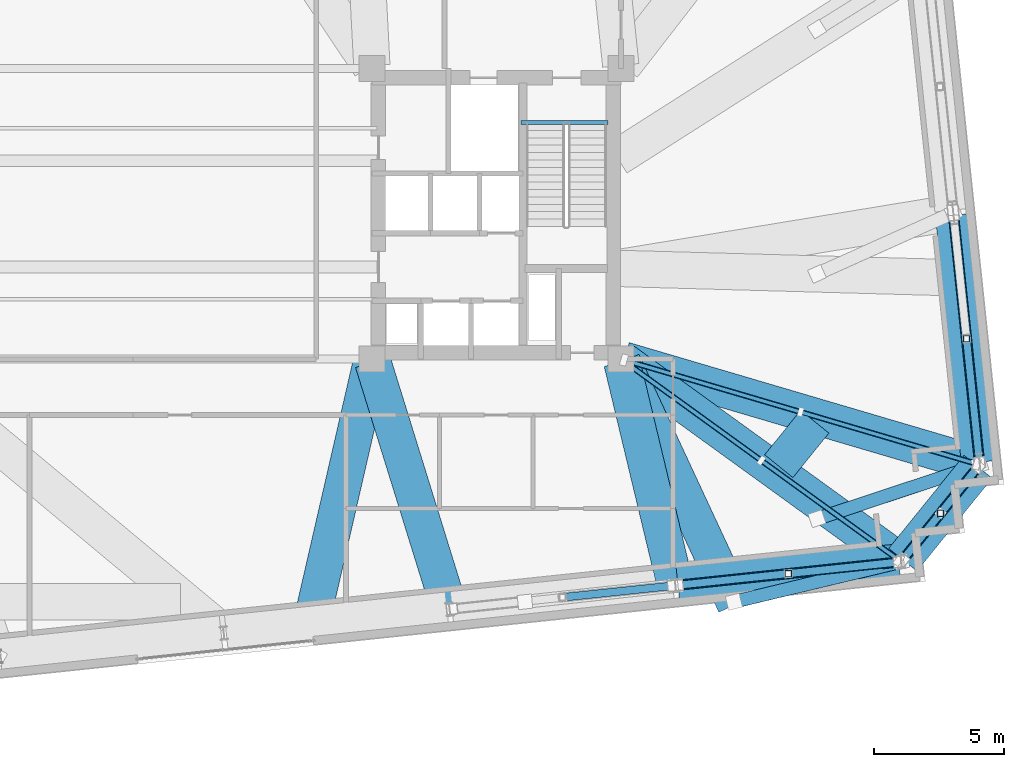
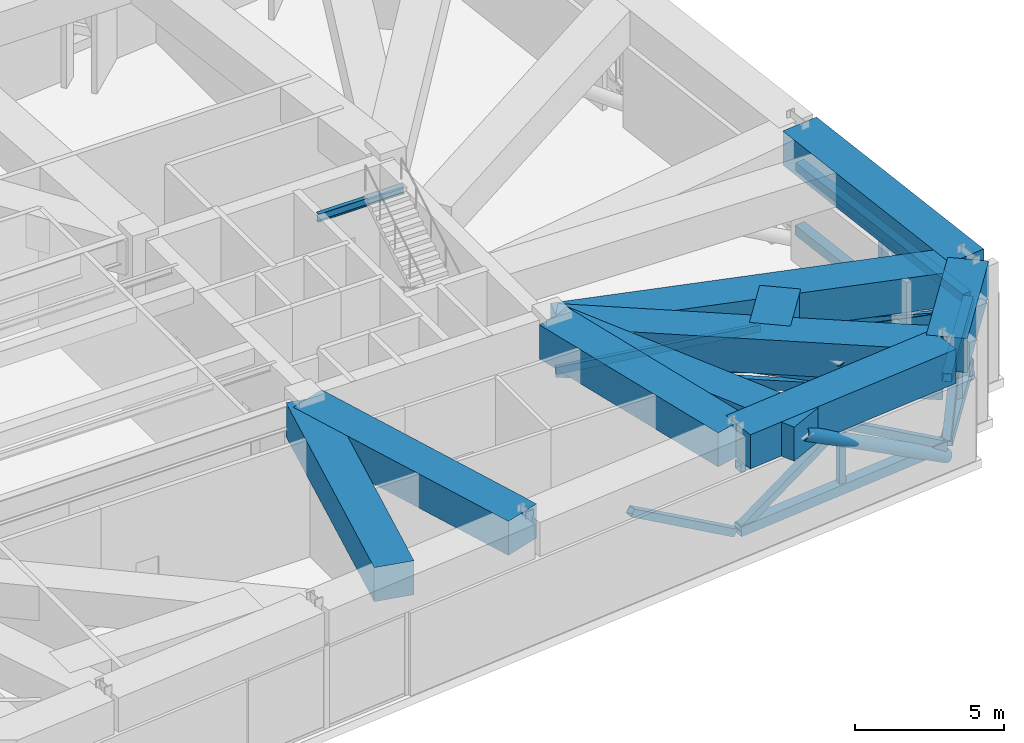
# One storey, part 10 of 23: 23 members, 11 beams.
"""IFC4 building model written with IfcOpenShell, lengths in metres."""

from ifc_helpers import new_model, si_unit, direction, frame, origin, origin_2d, place, context, subcontext, project, spatial, rectangle, hollow_rectangle, hollow_circle, i_section, extrude, material, material_profile, profile_set, type_object, element, save


model = new_model("IFC4")

# Units and contexts
model_context = context("Model", 3, precision=1e-05, world=origin(), true_north=direction((0.0, 1.0)))
body_context = subcontext(model_context, "Body", "Model", "MODEL_VIEW")
ifc_project = project(units=[si_unit("LENGTHUNIT", "METRE"), si_unit("AREAUNIT", "SQUARE_METRE"), si_unit("VOLUMEUNIT", "CUBIC_METRE"), si_unit("PLANEANGLEUNIT", "RADIAN"), si_unit("MASSUNIT", "GRAM", prefix="KILO")], contexts=[model_context])

# Site, building, storey
site_placement = place(None, origin())
site = spatial("IfcSite", under=ifc_project, at=site_placement, CompositionType="ELEMENT")
building_placement = place(site_placement, origin())
building = spatial("IfcBuilding", under=site, at=building_placement, Name="Qobustan Lattice House", CompositionType="ELEMENT")
storey_placement = place(building_placement, frame((0.0, 0.0, 125.89990234375)))
storey = spatial("IfcBuildingStorey", under=building, at=storey_placement, Name="L35", CompositionType="ELEMENT", Elevation=125.89990234375)

# Beams
ifc_material_1 = material(Name="Steel S355", Category="steel")
ifc_material_profile_1 = material_profile(ifc_material_1, i_section(OverallWidth=0.159912109375, OverallDepth=0.330078125, WebThickness=0.007568359375, FlangeThickness=0.011474609375, FilletRadius=0.01806640625, at=origin_2d()), Name="IPE330")
ifc_profile_set_1 = profile_set([ifc_material_profile_1], Name="Steel S355")
beam_type_1 = type_object("IfcBeamType", Name="BM-SPD-IPE330", PredefinedType="SPANDREL", material=ifc_profile_set_1)
beam_1_placement = place(storey_placement, frame((14.949951171875, 3.52001953125, 4.655029296875), z_axis=(1.0, 0.0, 0.0), x_axis=(0.0, 1.0, 0.0)))
element("IfcBeam", 1, at=beam_1_placement, inside=storey, type_object=beam_type_1, Name="L35 east stair landing trimmer beam", PredefinedType="SPANDREL", context=body_context, shape_type="SweptSolid", body=[
    extrude(i_section(OverallWidth=0.159912109375, OverallDepth=0.330078125, WebThickness=0.007568359375, FlangeThickness=0.011474609375, FilletRadius=0.01806640625, at=origin_2d()), origin(), (0.0, 0.0, 1.0), 3.35009765625),
])
ifc_material_2 = material(Name="Concrete C60/75", Category="concrete")
ifc_material_profile_2 = material_profile(ifc_material_2, rectangle(XDim=1.39990234375, YDim=1.39990234375, at=origin_2d()), Name="RC1400x1400")
ifc_profile_set_2 = profile_set([ifc_material_profile_2], Name="Concrete C60/75")
beam_type_2 = type_object("IfcBeamType", Name="BM-TRG-RC1400", PredefinedType="USERDEFINED", material=ifc_profile_set_2)
beam_2_placement = place(storey_placement, frame((20.990478515625, -14.311279296875, 4.1201171875), z_axis=(0.994523588185, 0.104512355942, 0.0), x_axis=(-0.104512355942, 0.994523588185, 0.0)))
element("IfcBeam", 2, at=beam_2_placement, inside=storey, type_object=beam_type_2, Name="L35 TT2 lower perimeter transfer girder S6-S7", ObjectType="GIRDER", PredefinedType="USERDEFINED", context=body_context, shape_type="SweptSolid", body=[
    extrude(rectangle(XDim=1.39990234375, YDim=1.39990234375, at=origin_2d()), origin(), (0.0, 0.0, 1.0), 8.5498046875),
])
beam_3_placement = place(storey_placement, frame((29.65576171875, -13.32958984375, 4.1201171875), z_axis=(0.629329286597, 0.7771387579, 0.0), x_axis=(-0.7771387579, 0.629329286597, 0.0)))
element("IfcBeam", 3, at=beam_3_placement, inside=storey, type_object=beam_type_2, Name="L35 TT2 lower perimeter transfer girder S7-E1", ObjectType="GIRDER", PredefinedType="USERDEFINED", context=body_context, shape_type="SweptSolid", body=[
    extrude(rectangle(XDim=1.39990234375, YDim=1.39990234375, at=origin_2d()), origin(), (0.0, 0.0, 1.0), 4.6083984375),
])
beam_4_placement = place(storey_placement, frame((32.6083984375, -9.571044921875, 4.1201171875), z_axis=(-0.104530683287, 0.994521662032, 0.0), x_axis=(-0.994521662032, -0.104530683287, 0.0)))
element("IfcBeam", 4, at=beam_4_placement, inside=storey, type_object=beam_type_2, Name="L35 TT2 lower perimeter transfer girder E1-E2", ObjectType="GIRDER", PredefinedType="USERDEFINED", context=body_context, shape_type="SweptSolid", body=[
    extrude(rectangle(XDim=1.39990234375, YDim=1.39990234375, at=origin_2d()), origin(), (0.0, 0.0, 1.0), 9.566650390625),
])
beam_5_placement = place(storey_placement, frame((9.235595703125, -5.714599609375, 4.1201171875), z_axis=(0.296236263195, -0.955114692782, 0.0), x_axis=(0.955114692782, 0.296236263195, 0.0)))
element("IfcBeam", 5, at=beam_5_placement, inside=storey, type_object=beam_type_2, Name="L35 TT2 radial transfer girder S5", ObjectType="GIRDER", PredefinedType="USERDEFINED", context=body_context, shape_type="SweptSolid", body=[
    extrude(rectangle(XDim=1.39990234375, YDim=1.39990234375, at=origin_2d()), origin(), (0.0, 0.0, 1.0), 9.849365234375),
])
beam_6_placement = place(storey_placement, frame((18.827880859375, -5.716796875, 4.1201171875), z_axis=(0.233126465682, -0.972446425773, 0.0), x_axis=(0.972446425773, 0.233126465682, 0.0)))
element("IfcBeam", 6, at=beam_6_placement, inside=storey, type_object=beam_type_2, Name="L35 TT2 radial transfer girder S6", ObjectType="GIRDER", PredefinedType="USERDEFINED", context=body_context, shape_type="SweptSolid", body=[
    extrude(rectangle(XDim=1.39990234375, YDim=1.39990234375, at=origin_2d()), origin(), (0.0, 0.0, 1.0), 8.728759765625),
])
beam_7_placement = place(storey_placement, frame((18.897216796875, -5.67041015625, 4.1201171875), z_axis=(0.810239497332, -0.586098931037, 0.0), x_axis=(0.586098931037, 0.810239497332, 0.0)))
element("IfcBeam", 7, at=beam_7_placement, inside=storey, type_object=beam_type_2, Name="L35 TT2 radial transfer girder S7", ObjectType="GIRDER", PredefinedType="USERDEFINED", context=body_context, shape_type="SweptSolid", body=[
    extrude(rectangle(XDim=1.39990234375, YDim=1.39990234375, at=origin_2d()), origin(), (0.0, 0.0, 1.0), 13.08056640625),
])
beam_8_placement = place(storey_placement, frame((18.9150390625, -5.6337890625, 4.1201171875), z_axis=(0.959246864238, -0.282569378118, 0.0), x_axis=(0.282569378118, 0.959246864238, 0.0)))
element("IfcBeam", 8, at=beam_8_placement, inside=storey, type_object=beam_type_2, Name="L35 TT2 radial transfer girder E1", ObjectType="GIRDER", PredefinedType="USERDEFINED", context=body_context, shape_type="SweptSolid", body=[
    extrude(rectangle(XDim=1.39990234375, YDim=1.39990234375, at=origin_2d()), origin(), (0.0, 0.0, 1.0), 14.166259765625),
])
beam_9_placement = place(storey_placement, frame((24.87451171875, -9.722900390625, 4.1201171875), z_axis=(0.629370249022, 0.777105584619, 0.0), x_axis=(-0.777105584619, 0.629370249022, 0.0)))
element("IfcBeam", 9, at=beam_9_placement, inside=storey, type_object=beam_type_2, Name="L35 TT2 quadrant transfer tie girder 4", ObjectType="GIRDER", PredefinedType="USERDEFINED", context=body_context, shape_type="SweptSolid", body=[
    extrude(rectangle(XDim=1.39990234375, YDim=1.39990234375, at=origin_2d()), origin(), (0.0, 0.0, 1.0), 2.20458984375),
])
beam_10_placement = place(storey_placement, frame((9.173095703125, -5.716796875, 4.1201171875), z_axis=(-0.224089743495, -0.974568513169, 0.0), x_axis=(0.974568513169, -0.224089743495, 0.0)))
element("IfcBeam", 10, at=beam_10_placement, inside=storey, type_object=beam_type_2, Name="L35 TT2 primary column transfer girder S5", ObjectType="GIRDER", PredefinedType="USERDEFINED", context=body_context, shape_type="SweptSolid", body=[
    extrude(rectangle(XDim=1.39990234375, YDim=1.39990234375, at=origin_2d()), origin(), (0.0, 0.0, 1.0), 10.12353515625),
])
beam_11_placement = place(storey_placement, frame((18.8505859375, -5.708740234375, 4.1201171875), z_axis=(0.421827612742, -0.906676053025, 0.0), x_axis=(0.906676053025, 0.421827612742, 0.0)))
element("IfcBeam", 11, at=beam_11_placement, inside=storey, type_object=beam_type_2, Name="L35 TT2 primary column transfer girder S7", ObjectType="GIRDER", PredefinedType="USERDEFINED", context=body_context, shape_type="SweptSolid", body=[
    extrude(rectangle(XDim=1.39990234375, YDim=1.39990234375, at=origin_2d()), origin(), (0.0, 0.0, 1.0), 10.3125),
])

# Members
ifc_material_3 = material(Name="Steel S355", Category="steel")
ifc_material_profile_3 = material_profile(ifc_material_3, hollow_rectangle(XDim=0.14990234375, YDim=0.300048828125, WallThickness=0.012451171875, at=origin_2d()), Name="RHS300x150x12.5")
ifc_profile_set_3 = profile_set([ifc_material_profile_3], Name="Steel S355")
member_type_1 = type_object("IfcMemberType", Name="MEM-BRC-RHS300", PredefinedType="BRACE", material=ifc_profile_set_3)
for number, where, z_axis, x_axis, name in (
    (12, (18.9150390625, -5.6337890625, 2.550048828125), (0.955935289453, -0.281593873623, 0.083021760496), (0.282569378118, 0.959246864238, 0.0), "L35 TT2 outrigger diagonal OUT-ES-1"),
    (13, (25.70947265625, -7.63525390625, 3.14013671875), (0.955935289453, -0.281593873623, -0.083021760496), (0.282569378118, 0.959246864238, 0.0), "L35 TT2 outrigger diagonal OUT-ES-2"),
):
    element("IfcMember", number, at=place(storey_placement, frame(where, z_axis=z_axis, x_axis=x_axis)), inside=storey, type_object=member_type_1, Name=name, PredefinedType="BRACE", context=body_context, shape_type="SweptSolid", body=[
        extrude(hollow_rectangle(XDim=0.14990234375, YDim=0.300048828125, WallThickness=0.012451171875, at=origin_2d()), origin(), (0.0, 0.0, 1.0), 7.107666015625),
    ])
member_1_placement = place(storey_placement, frame((18.897216796875, -5.67041015625, 2.550048828125), z_axis=(0.80695521412, -0.583736642106, 0.089859974777), x_axis=(0.586107794487, 0.810233085749, 0.0)))
element("IfcMember", 14, at=member_1_placement, inside=storey, type_object=member_type_1, Name="L35 TT2 outrigger diagonal OUT-EN-1", PredefinedType="BRACE", context=body_context, shape_type="SweptSolid", body=[
    extrude(hollow_rectangle(XDim=0.14990234375, YDim=0.300048828125, WallThickness=0.012451171875, at=origin_2d()), origin(), (0.0, 0.0, 1.0), 6.566650390625),
])
member_2_placement = place(storey_placement, frame((24.1962890625, -9.503662109375, 3.14013671875), z_axis=(0.806968182197, -0.583719129673, -0.089857278926), x_axis=(0.586090067784, 0.810245908626, 0.0)))
element("IfcMember", 15, at=member_2_placement, inside=storey, type_object=member_type_1, Name="L35 TT2 outrigger diagonal OUT-EN-2", PredefinedType="BRACE", context=body_context, shape_type="SweptSolid", body=[
    extrude(hollow_rectangle(XDim=0.14990234375, YDim=0.300048828125, WallThickness=0.012451171875, at=origin_2d()), origin(), (0.0, 0.0, 1.0), 6.56689453125),
])
ifc_material_4 = material(Name="Steel S355", Category="steel")
ifc_material_profile_4 = material_profile(ifc_material_4, hollow_rectangle(XDim=0.300048828125, YDim=0.300048828125, WallThickness=0.01611328125, at=origin_2d()), Name="SHS300x300x16")
ifc_profile_set_4 = profile_set([ifc_material_profile_4], Name="Steel S355")
member_type_2 = type_object("IfcMemberType", Name="MEM-BRC-SHS300", PredefinedType="BRACE", material=ifc_profile_set_4)
member_3_placement = place(storey_placement, frame((16.539794921875, -14.779296875, 3.14013671875), z_axis=(0.850593702391, 0.089381939442, -0.518171035812), x_axis=(-0.104506420204, 0.994524211941, 0.0)))
element("IfcMember", 16, at=member_3_placement, inside=storey, type_object=member_type_2, Name="L35 TT2 belt truss web diagonal S5-S6 B", PredefinedType="BRACE", context=body_context, shape_type="SweptSolid", body=[
    extrude(hollow_rectangle(XDim=0.300048828125, YDim=0.300048828125, WallThickness=0.01611328125, at=origin_2d()), origin(), (0.0, 0.0, 1.0), 4.99853515625),
])
for number, where, z_axis, x_axis, name in (
    (17, (20.990478515625, -14.311279296875, 0.550048828125), (0.850580197044, 0.089385652957, 0.518192564054), (-0.104512355942, 0.994523588185, 0.0), "L35 TT2 belt truss web diagonal S6-S7 A"),
    (18, (25.241943359375, -13.864501953125, 3.14013671875), (0.850580197044, 0.089385652957, -0.518192564054), (-0.104512355942, 0.994523588185, 0.0), "L35 TT2 belt truss web diagonal S6-S7 B"),
):
    element("IfcMember", number, at=place(storey_placement, frame(where, z_axis=z_axis, x_axis=x_axis)), inside=storey, type_object=member_type_2, Name=name, PredefinedType="BRACE", context=body_context, shape_type="SweptSolid", body=[
        extrude(hollow_rectangle(XDim=0.300048828125, YDim=0.300048828125, WallThickness=0.01611328125, at=origin_2d()), origin(), (0.0, 0.0, 1.0), 4.998291015625),
    ])
member_4_placement = place(storey_placement, frame((29.65576171875, -13.32958984375, 0.550048828125), z_axis=(0.418313275961, 0.516553515012, 0.747118778564), x_axis=(-0.777133830158, 0.629335371662, 0.0)))
element("IfcMember", 19, at=member_4_placement, inside=storey, type_object=member_type_2, Name="L35 TT2 belt truss web diagonal S7-E1 A", PredefinedType="BRACE", context=body_context, shape_type="SweptSolid", body=[
    extrude(hollow_rectangle(XDim=0.300048828125, YDim=0.300048828125, WallThickness=0.01611328125, at=origin_2d()), origin(), (0.0, 0.0, 1.0), 3.466796875),
])
member_5_placement = place(storey_placement, frame((31.10595703125, -11.538818359375, 3.14013671875), z_axis=(0.418270389027, 0.516517095997, -0.747167967198), x_axis=(-0.77714368633, 0.629323200588, 0.0)))
element("IfcMember", 20, at=member_5_placement, inside=storey, type_object=member_type_2, Name="L35 TT2 belt truss web diagonal S7-E1 B", PredefinedType="BRACE", context=body_context, shape_type="SweptSolid", body=[
    extrude(hollow_rectangle(XDim=0.300048828125, YDim=0.300048828125, WallThickness=0.01611328125, at=origin_2d()), origin(), (0.0, 0.0, 1.0), 3.466552734375),
])
member_6_placement = place(storey_placement, frame((32.6083984375, -9.571044921875, 0.550048828125), z_axis=(-0.091919893425, 0.874540587592, 0.476161205736), x_axis=(-0.994521662032, -0.104530683287, 0.0)))
element("IfcMember", 21, at=member_6_placement, inside=storey, type_object=member_type_2, Name="L35 TT2 belt truss web diagonal E1-E2 A", PredefinedType="BRACE", context=body_context, shape_type="SweptSolid", body=[
    extrude(hollow_rectangle(XDim=0.300048828125, YDim=0.300048828125, WallThickness=0.01611328125, at=origin_2d()), origin(), (0.0, 0.0, 1.0), 5.439453125),
])
ifc_material_5 = material(Name="Steel S355", Category="steel")
ifc_material_profile_5 = material_profile(ifc_material_5, hollow_rectangle(XDim=0.199951171875, YDim=0.39990234375, WallThickness=0.01611328125, at=origin_2d()), Name="RHS400x200x16")
ifc_profile_set_5 = profile_set([ifc_material_profile_5], Name="Steel S355")
member_type_3 = type_object("IfcMemberType", Name="MEM-CHD-RHS400", PredefinedType="CHORD", material=ifc_profile_set_5)
member_7_placement = place(storey_placement, frame((18.9150390625, -5.6337890625, 2.550048828125), z_axis=(0.959246864238, -0.282569378118, 0.0), x_axis=(0.282569378118, 0.959246864238, 0.0)))
element("IfcMember", 22, at=member_7_placement, inside=storey, type_object=member_type_3, Name="L35 TT2 outrigger chord OUT-ES", PredefinedType="CHORD", context=body_context, shape_type="SweptSolid", body=[
    extrude(hollow_rectangle(XDim=0.199951171875, YDim=0.39990234375, WallThickness=0.01611328125, at=origin_2d()), origin(), (0.0, 0.0, 1.0), 14.166259765625),
])
member_8_placement = place(storey_placement, frame((18.897216796875, -5.67041015625, 2.550048828125), z_axis=(0.810239497332, -0.586098931037, 0.0), x_axis=(0.586098931037, 0.810239497332, 0.0)))
element("IfcMember", 23, at=member_8_placement, inside=storey, type_object=member_type_3, Name="L35 TT2 outrigger chord OUT-EN", PredefinedType="CHORD", context=body_context, shape_type="SweptSolid", body=[
    extrude(hollow_rectangle(XDim=0.199951171875, YDim=0.39990234375, WallThickness=0.01611328125, at=origin_2d()), origin(), (0.0, 0.0, 1.0), 13.08056640625),
])
ifc_material_6 = material(Name="Steel S355", Category="steel")
ifc_material_profile_6 = material_profile(ifc_material_6, hollow_rectangle(XDim=0.35009765625, YDim=0.35009765625, WallThickness=0.01611328125, at=origin_2d()), Name="SHS350x350x16")
ifc_profile_set_6 = profile_set([ifc_material_profile_6], Name="Steel S355")
member_type_4 = type_object("IfcMemberType", Name="MEM-CHD-SHS350", PredefinedType="CHORD", material=ifc_profile_set_6)
member_9_placement = place(storey_placement, frame((20.990478515625, -14.311279296875, 3.14013671875), z_axis=(0.994523588185, 0.104512355942, 0.0), x_axis=(-0.104512355942, 0.994523588185, 0.0)))
element("IfcMember", 24, at=member_9_placement, inside=storey, type_object=member_type_4, Name="L35 TT2 belt truss top chord S6-S7", PredefinedType="CHORD", context=body_context, shape_type="SweptSolid", body=[
    extrude(hollow_rectangle(XDim=0.35009765625, YDim=0.35009765625, WallThickness=0.01611328125, at=origin_2d()), origin(), (0.0, 0.0, 1.0), 8.5498046875),
])
member_10_placement = place(storey_placement, frame((29.65576171875, -13.32958984375, 3.14013671875), z_axis=(0.629329286597, 0.7771387579, 0.0), x_axis=(-0.7771387579, 0.629329286597, 0.0)))
element("IfcMember", 25, at=member_10_placement, inside=storey, type_object=member_type_4, Name="L35 TT2 belt truss top chord S7-E1", PredefinedType="CHORD", context=body_context, shape_type="SweptSolid", body=[
    extrude(hollow_rectangle(XDim=0.35009765625, YDim=0.35009765625, WallThickness=0.01611328125, at=origin_2d()), origin(), (0.0, 0.0, 1.0), 4.6083984375),
])
member_11_placement = place(storey_placement, frame((32.6083984375, -9.571044921875, 3.14013671875), z_axis=(-0.104530683287, 0.994521662032, 0.0), x_axis=(-0.994521662032, -0.104530683287, 0.0)))
element("IfcMember", 26, at=member_11_placement, inside=storey, type_object=member_type_4, Name="L35 TT2 belt truss top chord E1-E2", PredefinedType="CHORD", context=body_context, shape_type="SweptSolid", body=[
    extrude(hollow_rectangle(XDim=0.35009765625, YDim=0.35009765625, WallThickness=0.01611328125, at=origin_2d()), origin(), (0.0, 0.0, 1.0), 9.566650390625),
])
ifc_material_7 = material(Name="Steel S355", Category="steel")
ifc_material_profile_7 = material_profile(ifc_material_7, hollow_rectangle(XDim=0.39990234375, YDim=0.39990234375, WallThickness=0.02001953125, at=origin_2d()), Name="SHS400x400x20")
ifc_profile_set_7 = profile_set([ifc_material_profile_7], Name="Steel S355")
member_type_5 = type_object("IfcMemberType", Name="MEM-CHD-SHS400", PredefinedType="CHORD", material=ifc_profile_set_7)
member_12_placement = place(storey_placement, frame((20.990478515625, -14.311279296875, 0.550048828125), z_axis=(0.994523588185, 0.104512355942, 0.0), x_axis=(-0.104512355942, 0.994523588185, 0.0)))
element("IfcMember", 27, at=member_12_placement, inside=storey, type_object=member_type_5, Name="L35 TT2 belt truss bottom chord S6-S7", PredefinedType="CHORD", context=body_context, shape_type="SweptSolid", body=[
    extrude(hollow_rectangle(XDim=0.39990234375, YDim=0.39990234375, WallThickness=0.02001953125, at=origin_2d()), origin(), (0.0, 0.0, 1.0), 8.5498046875),
])
member_13_placement = place(storey_placement, frame((29.65576171875, -13.32958984375, 0.550048828125), z_axis=(0.629329286597, 0.7771387579, 0.0), x_axis=(-0.7771387579, 0.629329286597, 0.0)))
element("IfcMember", 28, at=member_13_placement, inside=storey, type_object=member_type_5, Name="L35 TT2 belt truss bottom chord S7-E1", PredefinedType="CHORD", context=body_context, shape_type="SweptSolid", body=[
    extrude(hollow_rectangle(XDim=0.39990234375, YDim=0.39990234375, WallThickness=0.02001953125, at=origin_2d()), origin(), (0.0, 0.0, 1.0), 4.6083984375),
])
member_14_placement = place(storey_placement, frame((32.6083984375, -9.571044921875, 0.550048828125), z_axis=(-0.104530683287, 0.994521662032, 0.0), x_axis=(-0.994521662032, -0.104530683287, 0.0)))
element("IfcMember", 29, at=member_14_placement, inside=storey, type_object=member_type_5, Name="L35 TT2 belt truss bottom chord E1-E2", PredefinedType="CHORD", context=body_context, shape_type="SweptSolid", body=[
    extrude(hollow_rectangle(XDim=0.39990234375, YDim=0.39990234375, WallThickness=0.02001953125, at=origin_2d()), origin(), (0.0, 0.0, 1.0), 9.566650390625),
])
ifc_material_8 = material(Name="Steel S355", Category="steel")
ifc_material_profile_8 = material_profile(ifc_material_8, hollow_rectangle(XDim=0.25, YDim=0.25, WallThickness=0.012451171875, at=origin_2d()), Name="SHS250x250x12.5")
ifc_profile_set_8 = profile_set([ifc_material_profile_8], Name="Steel S355")
member_type_6 = type_object("IfcMemberType", Name="MEM-PST-SHS250", PredefinedType="POST", material=ifc_profile_set_8)
for number, where, z_axis, x_axis, name in (
    (30, (25.241943359375, -13.864501953125, 0.550048828125), (0.0, 0.0, 1.0), (1.0, 0.0, 0.0), "L35 TT2 belt truss vertical post S6-S7"),
    (31, (31.10595703125, -11.538818359375, 0.550048828125), (0.0, 0.0, 1.0), (1.0, 0.0, 0.0), "L35 TT2 belt truss vertical post S7-E1"),
    (32, (32.1083984375, -4.81396484375, 0.550048828125), (0.0, 0.0, 1.0), (1.0, 0.0, 0.0), "L35 TT2 belt truss vertical post E1-E2"),
):
    element("IfcMember", number, at=place(storey_placement, frame(where, z_axis=z_axis, x_axis=x_axis)), inside=storey, type_object=member_type_6, Name=name, PredefinedType="POST", context=body_context, shape_type="SweptSolid", body=[
        extrude(hollow_rectangle(XDim=0.25, YDim=0.25, WallThickness=0.012451171875, at=origin_2d()), origin(), (0.0, 0.0, 1.0), 2.590087890625),
    ])
ifc_material_9 = material(Name="Steel S355", Category="steel")
ifc_material_profile_9 = material_profile(ifc_material_9, hollow_circle(Radius=0.25390625, WallThickness=0.02001953125, at=origin_2d()), Name="CHS508x20")
ifc_profile_set_9 = profile_set([ifc_material_profile_9], Name="Steel S355")
member_type_7 = type_object("IfcMemberType", Name="MEM-STR-CHS508", PredefinedType="STRUT", material=ifc_profile_set_9)
member_15_placement = place(storey_placement, frame((29.593017578125, -13.4072265625, 0.01513671875), z_axis=(-0.826688827559, -0.197940460814, 0.526692658352), x_axis=(0.232855847206, -0.972511261848, 0.0)))
element("IfcMember", 33, at=member_15_placement, inside=storey, type_object=member_type_7, Name="L35 TT2 column transfer strut S7", PredefinedType="STRUT", context=body_context, shape_type="SweptSolid", body=[
    extrude(hollow_circle(Radius=0.25390625, WallThickness=0.02001953125, at=origin_2d()), origin(), (0.0, 0.0, 1.0), 7.7939453125),
])
member_16_placement = place(storey_placement, frame((32.618896484375, -9.67041015625, 0.01513671875), z_axis=(-0.806124553584, -0.26742099729, 0.527872346612), x_axis=(0.314863449814, -0.949136980615, 0.0)))
element("IfcMember", 34, at=member_16_placement, inside=storey, type_object=member_type_7, Name="L35 TT2 column transfer strut E1", PredefinedType="STRUT", context=body_context, shape_type="SweptSolid", body=[
    extrude(hollow_circle(Radius=0.25390625, WallThickness=0.02001953125, at=origin_2d()), origin(), (0.0, 0.0, 1.0), 7.7763671875),
])

save(model, "model.ifc")
